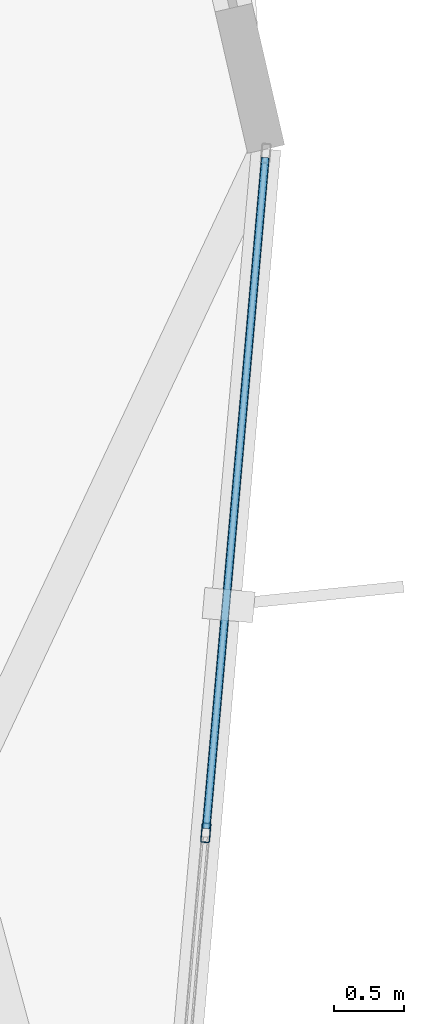
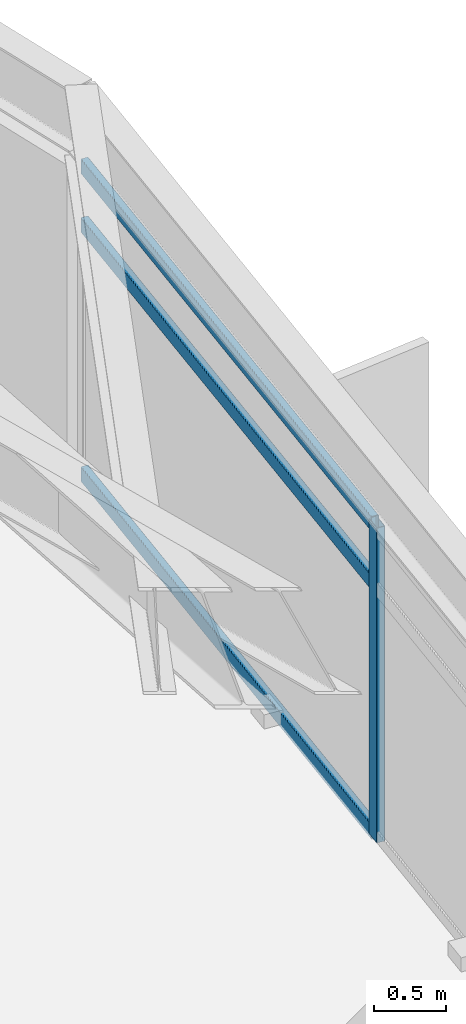
# One storey, part 12 of 27: 4 members, 1 element without a shape of its own.
"""IFC4 building model written with IfcOpenShell, lengths in metres."""

from ifc_helpers import new_model, si_unit, direction, frame, origin, origin_2d, place, context, subcontext, project, spatial, hollow_rectangle, extrude, material, layer, layer_set, material_profile, profile_set, type_object, element, aggregate, save


model = new_model("IFC4")

# Units and contexts
model_context = context("Model", 3, precision=1e-05, world=origin(), true_north=direction((0.0, 1.0)))
body_context = subcontext(model_context, "Body", "Model", "MODEL_VIEW")
ifc_project = project(units=[si_unit("LENGTHUNIT", "METRE"), si_unit("AREAUNIT", "SQUARE_METRE"), si_unit("VOLUMEUNIT", "CUBIC_METRE"), si_unit("PLANEANGLEUNIT", "RADIAN"), si_unit("MASSUNIT", "GRAM", prefix="KILO")], contexts=[model_context])

# Site, building, storey
site_placement = place(None, origin())
site = spatial("IfcSite", under=ifc_project, at=site_placement, CompositionType="ELEMENT")
building_placement = place(site_placement, origin())
building = spatial("IfcBuilding", under=site, at=building_placement, Name="Soratama Intermodal Tower", CompositionType="ELEMENT")
storey_placement = place(building_placement, frame((0.0, 0.0, 212.199951171875)))
storey = spatial("IfcBuildingStorey", under=building, at=storey_placement, Name="L53", CompositionType="ELEMENT", Elevation=212.199951171875)

# Curtain wall, members
ifc_material_1 = material(Name="Double-glazed aluminium curtain wall", Category="aluminium")
ifc_layer = layer(ifc_material_1, 0.159912109375)
ifc_layer_set = layer_set([ifc_layer], Name="Double-glazed aluminium curtain wall")
curtain_wall_type = type_object("IfcCurtainWallType", Name="CW-SYS-5", PredefinedType="NOTDEFINED", material=ifc_layer_set)
curtain_wall_placement = place(storey_placement, origin())
curtain_wall = element("IfcCurtainWall", 1, at=curtain_wall_placement, inside=storey, type_object=curtain_wall_type, Name="L53 Faceted Curtain Wall F09", PredefinedType="NOTDEFINED")
ifc_material_2 = material(Name="Anodised aluminium AA 6063-T6", Category="aluminium")
ifc_material_profile_1 = material_profile(ifc_material_2, hollow_rectangle(XDim=0.06494140625, YDim=0.139892578125, WallThickness=0.0048828125, InnerFilletRadius=0.0048828125, OuterFilletRadius=0.010009765625, at=origin_2d()), Name="CWM140X65X5")
ifc_profile_set_1 = profile_set([ifc_material_profile_1], Name="Anodised aluminium AA 6063-T6")
member_type_1 = type_object("IfcMemberType", Name="MT-CWM-5", PredefinedType="MULLION", material=ifc_profile_set_1)
member_1_placement = place(storey_placement, frame((64.756103515625, 23.257568359375, 0.0), z_axis=(0.0, 0.0, 1.0), x_axis=(-0.996133671333, 0.087850491382, 0.0)))
member_1 = element("IfcMember", 2, at=member_1_placement, type_object=member_type_1, Name="CW-5 mullion 2", PredefinedType="MULLION", context=body_context, shape_type="SweptSolid", body=[
    extrude(hollow_rectangle(XDim=0.06494140625, YDim=0.139892578125, WallThickness=0.0048828125, InnerFilletRadius=0.0048828125, OuterFilletRadius=0.010009765625, at=origin_2d()), origin(), (0.0, 0.0, 1.0), 2.678955078125),
])
ifc_material_3 = material(Name="Anodised aluminium AA 6063-T6", Category="aluminium")
ifc_material_profile_2 = material_profile(ifc_material_3, hollow_rectangle(XDim=0.06005859375, YDim=0.1298828125, WallThickness=0.0048828125, InnerFilletRadius=0.0048828125, OuterFilletRadius=0.010009765625, at=origin_2d()), Name="CWT130X60X5")
ifc_profile_set_2 = profile_set([ifc_material_profile_2], Name="Anodised aluminium AA 6063-T6")
member_type_2 = type_object("IfcMemberType", Name="TT-CWT-2", PredefinedType="USERDEFINED", material=ifc_profile_set_2)
member_2_placement = place(storey_placement, frame((64.7587890625, 23.28759765625, 0.030029296875), z_axis=(0.087840309373, 0.996134569247, 0.0), x_axis=(-0.996134569247, 0.087840309373, 0.0)))
member_2 = element("IfcMember", 3, at=member_2_placement, type_object=member_type_2, Name="CW-5 transom 2.1", ObjectType="TRANSOM", PredefinedType="USERDEFINED", context=body_context, shape_type="SweptSolid", body=[
    extrude(hollow_rectangle(XDim=0.06005859375, YDim=0.1298828125, WallThickness=0.0048828125, InnerFilletRadius=0.0048828125, OuterFilletRadius=0.010009765625, at=origin_2d()), origin(), (0.0, 0.0, 1.0), 4.79443359375),
])
member_3_placement = place(storey_placement, frame((64.7587890625, 23.28759765625, 2.150146484375), z_axis=(0.087840309373, 0.996134569247, 0.0), x_axis=(-0.996134569247, 0.087840309373, 0.0)))
member_3 = element("IfcMember", 4, at=member_3_placement, type_object=member_type_2, Name="CW-5 transom 2.2", ObjectType="TRANSOM", PredefinedType="USERDEFINED", context=body_context, shape_type="SweptSolid", body=[
    extrude(hollow_rectangle(XDim=0.06005859375, YDim=0.1298828125, WallThickness=0.0048828125, InnerFilletRadius=0.0048828125, OuterFilletRadius=0.010009765625, at=origin_2d()), origin(), (0.0, 0.0, 1.0), 4.79443359375),
])
member_4_placement = place(storey_placement, frame((64.7587890625, 23.28759765625, 2.649169921875), z_axis=(0.087840309373, 0.996134569247, 0.0), x_axis=(-0.996134569247, 0.087840309373, 0.0)))
member_4 = element("IfcMember", 5, at=member_4_placement, type_object=member_type_2, Name="CW-5 transom 2.3", ObjectType="TRANSOM", PredefinedType="USERDEFINED", context=body_context, shape_type="SweptSolid", body=[
    extrude(hollow_rectangle(XDim=0.06005859375, YDim=0.1298828125, WallThickness=0.0048828125, InnerFilletRadius=0.0048828125, OuterFilletRadius=0.010009765625, at=origin_2d()), origin(), (0.0, 0.0, 1.0), 4.79443359375),
])
aggregate(curtain_wall, [member_1, member_2, member_3, member_4])

save(model, "model.ifc")
